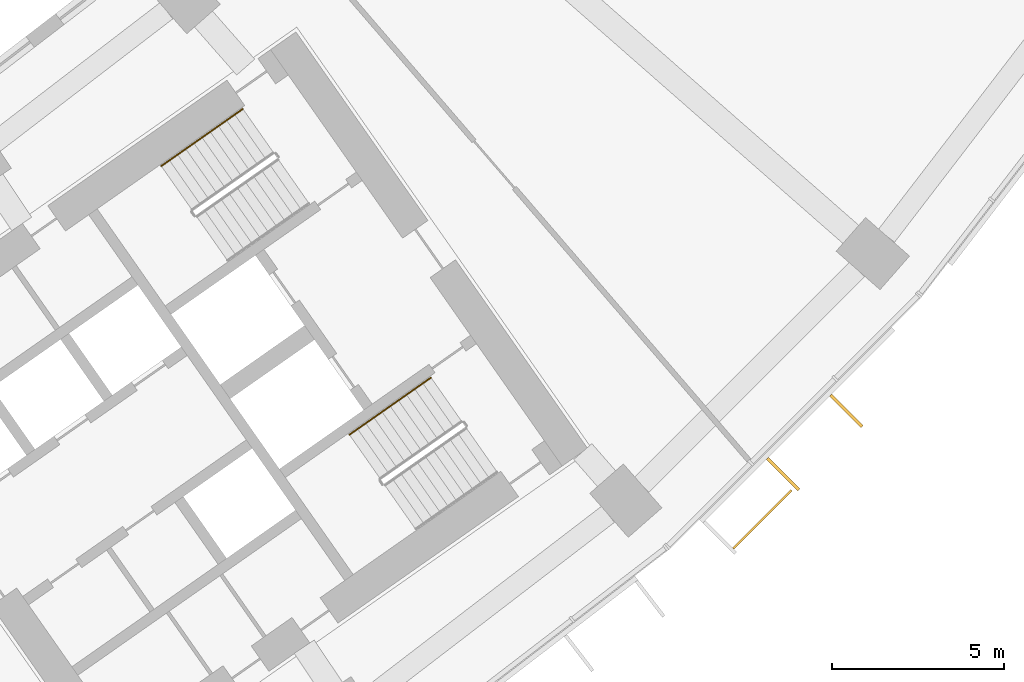
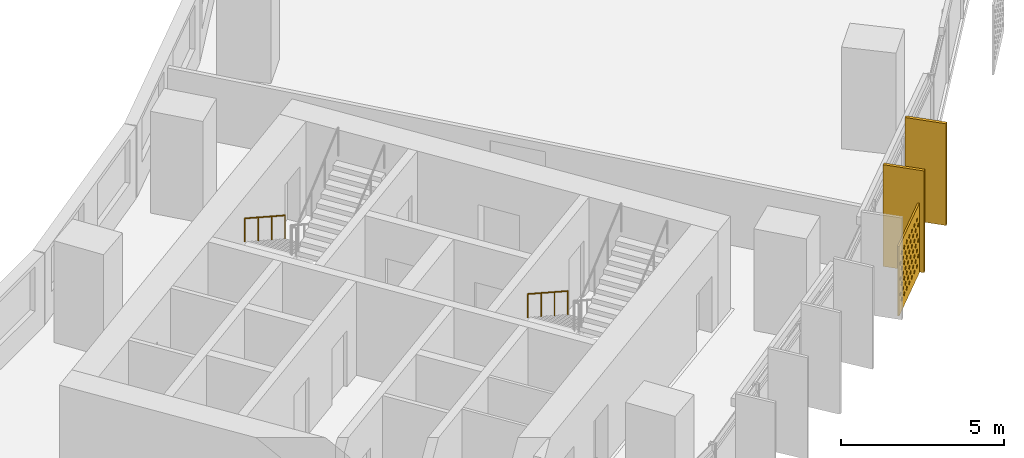
# One storey, part 30 of 31: 3 shading devices, 2 railings.
"""IFC4 building model written with IfcOpenShell, lengths in metres."""

from ifc_helpers import new_model, si_unit, direction, frame, origin, origin_2d, place, context, subcontext, project, spatial, polyline, rectangle, circle, outline, extrude, material, material_profile, profile_set, type_object, element, save


model = new_model("IFC4")

# Units and contexts
model_context = context("Model", 3, precision=1e-05, world=origin(), true_north=direction((0.0, 1.0)))
body_context = subcontext(model_context, "Body", "Model", "MODEL_VIEW")
ifc_project = project(units=[si_unit("LENGTHUNIT", "METRE"), si_unit("AREAUNIT", "SQUARE_METRE"), si_unit("VOLUMEUNIT", "CUBIC_METRE"), si_unit("PLANEANGLEUNIT", "RADIAN"), si_unit("MASSUNIT", "GRAM", prefix="KILO")], contexts=[model_context])

# Site, building, storey
site_placement = place(None, origin())
site = spatial("IfcSite", under=ifc_project, at=site_placement, CompositionType="ELEMENT")
building_placement = place(site_placement, origin())
building = spatial("IfcBuilding", under=site, at=building_placement, Name="Qamariyya Broadcast Tower", CompositionType="ELEMENT")
storey_placement = place(building_placement, frame((0.0, 0.0, 74.699951171875)))
storey = spatial("IfcBuildingStorey", under=building, at=storey_placement, Name="L15", CompositionType="ELEMENT", Elevation=74.699951171875)

# Shading device
ifc_material_1 = material(Name="Perforated glazed terracotta", Category="masonry")
ifc_material_profile_1 = material_profile(ifc_material_1, outline(polyline([(-1.199951171875, -1.300048828125), (1.199951171875, -1.300048828125), (1.199951171875, 1.300048828125), (-1.199951171875, 1.300048828125), (-1.199951171875, -1.300048828125)]), holes=[polyline([(-0.81494140625, -0.86669921875), (-0.89990234375, -0.78173828125), (-0.985107421875, -0.86669921875), (-0.89990234375, -0.95166015625), (-0.81494140625, -0.86669921875)]), polyline([(-0.514892578125, -0.86669921875), (-0.60009765625, -0.78173828125), (-0.68505859375, -0.86669921875), (-0.60009765625, -0.95166015625), (-0.514892578125, -0.86669921875)]), polyline([(-0.215087890625, -0.86669921875), (-0.300048828125, -0.78173828125), (-0.385009765625, -0.86669921875), (-0.300048828125, -0.95166015625), (-0.215087890625, -0.86669921875)]), polyline([(0.0849609375, -0.86669921875), (0.0, -0.78173828125), (-0.0849609375, -0.86669921875), (0.0, -0.95166015625), (0.0849609375, -0.86669921875)]), polyline([(0.385009765625, -0.86669921875), (0.300048828125, -0.78173828125), (0.215087890625, -0.86669921875), (0.300048828125, -0.95166015625), (0.385009765625, -0.86669921875)]), polyline([(0.68505859375, -0.86669921875), (0.60009765625, -0.78173828125), (0.514892578125, -0.86669921875), (0.60009765625, -0.95166015625), (0.68505859375, -0.86669921875)]), polyline([(0.985107421875, -0.86669921875), (0.89990234375, -0.78173828125), (0.81494140625, -0.86669921875), (0.89990234375, -0.95166015625), (0.985107421875, -0.86669921875)]), polyline([(-0.965087890625, -0.577880859375), (-1.050048828125, -0.49267578125), (-1.135009765625, -0.577880859375), (-1.050048828125, -0.662841796875), (-0.965087890625, -0.577880859375)]), polyline([(-0.6650390625, -0.577880859375), (-0.75, -0.49267578125), (-0.8349609375, -0.577880859375), (-0.75, -0.662841796875), (-0.6650390625, -0.577880859375)]), polyline([(-0.364990234375, -0.577880859375), (-0.449951171875, -0.49267578125), (-0.534912109375, -0.577880859375), (-0.449951171875, -0.662841796875), (-0.364990234375, -0.577880859375)]), polyline([(-0.06494140625, -0.577880859375), (-0.14990234375, -0.49267578125), (-0.235107421875, -0.577880859375), (-0.14990234375, -0.662841796875), (-0.06494140625, -0.577880859375)]), polyline([(0.235107421875, -0.577880859375), (0.14990234375, -0.49267578125), (0.06494140625, -0.577880859375), (0.14990234375, -0.662841796875), (0.235107421875, -0.577880859375)]), polyline([(0.534912109375, -0.577880859375), (0.449951171875, -0.49267578125), (0.364990234375, -0.577880859375), (0.449951171875, -0.662841796875), (0.534912109375, -0.577880859375)]), polyline([(0.8349609375, -0.577880859375), (0.75, -0.49267578125), (0.6650390625, -0.577880859375), (0.75, -0.662841796875), (0.8349609375, -0.577880859375)]), polyline([(1.135009765625, -0.577880859375), (1.050048828125, -0.49267578125), (0.965087890625, -0.577880859375), (1.050048828125, -0.662841796875), (1.135009765625, -0.577880859375)]), polyline([(-0.81494140625, -0.288818359375), (-0.89990234375, -0.203857421875), (-0.985107421875, -0.288818359375), (-0.89990234375, -0.373779296875), (-0.81494140625, -0.288818359375)]), polyline([(-0.514892578125, -0.288818359375), (-0.60009765625, -0.203857421875), (-0.68505859375, -0.288818359375), (-0.60009765625, -0.373779296875), (-0.514892578125, -0.288818359375)]), polyline([(-0.215087890625, -0.288818359375), (-0.300048828125, -0.203857421875), (-0.385009765625, -0.288818359375), (-0.300048828125, -0.373779296875), (-0.215087890625, -0.288818359375)]), polyline([(0.0849609375, -0.288818359375), (0.0, -0.203857421875), (-0.0849609375, -0.288818359375), (0.0, -0.373779296875), (0.0849609375, -0.288818359375)]), polyline([(0.385009765625, -0.288818359375), (0.300048828125, -0.203857421875), (0.215087890625, -0.288818359375), (0.300048828125, -0.373779296875), (0.385009765625, -0.288818359375)]), polyline([(0.68505859375, -0.288818359375), (0.60009765625, -0.203857421875), (0.514892578125, -0.288818359375), (0.60009765625, -0.373779296875), (0.68505859375, -0.288818359375)]), polyline([(0.985107421875, -0.288818359375), (0.89990234375, -0.203857421875), (0.81494140625, -0.288818359375), (0.89990234375, -0.373779296875), (0.985107421875, -0.288818359375)]), polyline([(-0.965087890625, 0.0), (-1.050048828125, 0.0849609375), (-1.135009765625, 0.0), (-1.050048828125, -0.0849609375), (-0.965087890625, 0.0)]), polyline([(-0.6650390625, 0.0), (-0.75, 0.0849609375), (-0.8349609375, 0.0), (-0.75, -0.0849609375), (-0.6650390625, 0.0)]), polyline([(-0.364990234375, 0.0), (-0.449951171875, 0.0849609375), (-0.534912109375, 0.0), (-0.449951171875, -0.0849609375), (-0.364990234375, 0.0)]), polyline([(-0.06494140625, 0.0), (-0.14990234375, 0.0849609375), (-0.235107421875, 0.0), (-0.14990234375, -0.0849609375), (-0.06494140625, 0.0)]), polyline([(0.235107421875, 0.0), (0.14990234375, 0.0849609375), (0.06494140625, 0.0), (0.14990234375, -0.0849609375), (0.235107421875, 0.0)]), polyline([(0.534912109375, 0.0), (0.449951171875, 0.0849609375), (0.364990234375, 0.0), (0.449951171875, -0.0849609375), (0.534912109375, 0.0)]), polyline([(0.8349609375, 0.0), (0.75, 0.0849609375), (0.6650390625, 0.0), (0.75, -0.0849609375), (0.8349609375, 0.0)]), polyline([(1.135009765625, 0.0), (1.050048828125, 0.0849609375), (0.965087890625, 0.0), (1.050048828125, -0.0849609375), (1.135009765625, 0.0)]), polyline([(-0.81494140625, 0.288818359375), (-0.89990234375, 0.373779296875), (-0.985107421875, 0.288818359375), (-0.89990234375, 0.203857421875), (-0.81494140625, 0.288818359375)]), polyline([(-0.514892578125, 0.288818359375), (-0.60009765625, 0.373779296875), (-0.68505859375, 0.288818359375), (-0.60009765625, 0.203857421875), (-0.514892578125, 0.288818359375)]), polyline([(-0.215087890625, 0.288818359375), (-0.300048828125, 0.373779296875), (-0.385009765625, 0.288818359375), (-0.300048828125, 0.203857421875), (-0.215087890625, 0.288818359375)]), polyline([(0.0849609375, 0.288818359375), (0.0, 0.373779296875), (-0.0849609375, 0.288818359375), (0.0, 0.203857421875), (0.0849609375, 0.288818359375)]), polyline([(0.385009765625, 0.288818359375), (0.300048828125, 0.373779296875), (0.215087890625, 0.288818359375), (0.300048828125, 0.203857421875), (0.385009765625, 0.288818359375)]), polyline([(0.68505859375, 0.288818359375), (0.60009765625, 0.373779296875), (0.514892578125, 0.288818359375), (0.60009765625, 0.203857421875), (0.68505859375, 0.288818359375)]), polyline([(0.985107421875, 0.288818359375), (0.89990234375, 0.373779296875), (0.81494140625, 0.288818359375), (0.89990234375, 0.203857421875), (0.985107421875, 0.288818359375)]), polyline([(-0.965087890625, 0.577880859375), (-1.050048828125, 0.662841796875), (-1.135009765625, 0.577880859375), (-1.050048828125, 0.49267578125), (-0.965087890625, 0.577880859375)]), polyline([(-0.6650390625, 0.577880859375), (-0.75, 0.662841796875), (-0.8349609375, 0.577880859375), (-0.75, 0.49267578125), (-0.6650390625, 0.577880859375)]), polyline([(-0.364990234375, 0.577880859375), (-0.449951171875, 0.662841796875), (-0.534912109375, 0.577880859375), (-0.449951171875, 0.49267578125), (-0.364990234375, 0.577880859375)]), polyline([(-0.06494140625, 0.577880859375), (-0.14990234375, 0.662841796875), (-0.235107421875, 0.577880859375), (-0.14990234375, 0.49267578125), (-0.06494140625, 0.577880859375)]), polyline([(0.235107421875, 0.577880859375), (0.14990234375, 0.662841796875), (0.06494140625, 0.577880859375), (0.14990234375, 0.49267578125), (0.235107421875, 0.577880859375)]), polyline([(0.534912109375, 0.577880859375), (0.449951171875, 0.662841796875), (0.364990234375, 0.577880859375), (0.449951171875, 0.49267578125), (0.534912109375, 0.577880859375)]), polyline([(0.8349609375, 0.577880859375), (0.75, 0.662841796875), (0.6650390625, 0.577880859375), (0.75, 0.49267578125), (0.8349609375, 0.577880859375)]), polyline([(1.135009765625, 0.577880859375), (1.050048828125, 0.662841796875), (0.965087890625, 0.577880859375), (1.050048828125, 0.49267578125), (1.135009765625, 0.577880859375)]), polyline([(-0.81494140625, 0.86669921875), (-0.89990234375, 0.95166015625), (-0.985107421875, 0.86669921875), (-0.89990234375, 0.78173828125), (-0.81494140625, 0.86669921875)]), polyline([(-0.514892578125, 0.86669921875), (-0.60009765625, 0.95166015625), (-0.68505859375, 0.86669921875), (-0.60009765625, 0.78173828125), (-0.514892578125, 0.86669921875)]), polyline([(-0.215087890625, 0.86669921875), (-0.300048828125, 0.95166015625), (-0.385009765625, 0.86669921875), (-0.300048828125, 0.78173828125), (-0.215087890625, 0.86669921875)]), polyline([(0.0849609375, 0.86669921875), (0.0, 0.95166015625), (-0.0849609375, 0.86669921875), (0.0, 0.78173828125), (0.0849609375, 0.86669921875)]), polyline([(0.385009765625, 0.86669921875), (0.300048828125, 0.95166015625), (0.215087890625, 0.86669921875), (0.300048828125, 0.78173828125), (0.385009765625, 0.86669921875)]), polyline([(0.68505859375, 0.86669921875), (0.60009765625, 0.95166015625), (0.514892578125, 0.86669921875), (0.60009765625, 0.78173828125), (0.68505859375, 0.86669921875)]), polyline([(0.985107421875, 0.86669921875), (0.89990234375, 0.95166015625), (0.81494140625, 0.86669921875), (0.89990234375, 0.78173828125), (0.985107421875, 0.86669921875)])]))
ifc_profile_set_1 = profile_set([ifc_material_profile_1], Name="Perforated glazed terracotta")
shading_device_type_1 = type_object("IfcShadingDeviceType", Name="Perforated terracotta screen 2400 x 2600", PredefinedType="USERDEFINED", material=ifc_profile_set_1)
shading_device_placement = place(storey_placement, frame((55.2197265625, -58.977294921875, 1.35009765625), z_axis=(0.707106781187, -0.707106781187, 0.0), x_axis=(0.707106781187, 0.707106781187, 0.0)))
element("IfcShadingDevice", 1, at=shading_device_placement, inside=storey, type_object=shading_device_type_1, Name="e-scr-L15-14-0", ObjectType="SCREEN", PredefinedType="USERDEFINED", context=body_context, shape_type="SweptSolid", body=[
    extrude(outline(polyline([(-1.199951171875, -1.300048828125), (1.199951171875, -1.300048828125), (1.199951171875, 1.300048828125), (-1.199951171875, 1.300048828125), (-1.199951171875, -1.300048828125)]), holes=[polyline([(-0.81494140625, -0.86669921875), (-0.89990234375, -0.78173828125), (-0.985107421875, -0.86669921875), (-0.89990234375, -0.95166015625), (-0.81494140625, -0.86669921875)]), polyline([(-0.514892578125, -0.86669921875), (-0.60009765625, -0.78173828125), (-0.68505859375, -0.86669921875), (-0.60009765625, -0.95166015625), (-0.514892578125, -0.86669921875)]), polyline([(-0.215087890625, -0.86669921875), (-0.300048828125, -0.78173828125), (-0.385009765625, -0.86669921875), (-0.300048828125, -0.95166015625), (-0.215087890625, -0.86669921875)]), polyline([(0.0849609375, -0.86669921875), (0.0, -0.78173828125), (-0.0849609375, -0.86669921875), (0.0, -0.95166015625), (0.0849609375, -0.86669921875)]), polyline([(0.385009765625, -0.86669921875), (0.300048828125, -0.78173828125), (0.215087890625, -0.86669921875), (0.300048828125, -0.95166015625), (0.385009765625, -0.86669921875)]), polyline([(0.68505859375, -0.86669921875), (0.60009765625, -0.78173828125), (0.514892578125, -0.86669921875), (0.60009765625, -0.95166015625), (0.68505859375, -0.86669921875)]), polyline([(0.985107421875, -0.86669921875), (0.89990234375, -0.78173828125), (0.81494140625, -0.86669921875), (0.89990234375, -0.95166015625), (0.985107421875, -0.86669921875)]), polyline([(-0.965087890625, -0.577880859375), (-1.050048828125, -0.49267578125), (-1.135009765625, -0.577880859375), (-1.050048828125, -0.662841796875), (-0.965087890625, -0.577880859375)]), polyline([(-0.6650390625, -0.577880859375), (-0.75, -0.49267578125), (-0.8349609375, -0.577880859375), (-0.75, -0.662841796875), (-0.6650390625, -0.577880859375)]), polyline([(-0.364990234375, -0.577880859375), (-0.449951171875, -0.49267578125), (-0.534912109375, -0.577880859375), (-0.449951171875, -0.662841796875), (-0.364990234375, -0.577880859375)]), polyline([(-0.06494140625, -0.577880859375), (-0.14990234375, -0.49267578125), (-0.235107421875, -0.577880859375), (-0.14990234375, -0.662841796875), (-0.06494140625, -0.577880859375)]), polyline([(0.235107421875, -0.577880859375), (0.14990234375, -0.49267578125), (0.06494140625, -0.577880859375), (0.14990234375, -0.662841796875), (0.235107421875, -0.577880859375)]), polyline([(0.534912109375, -0.577880859375), (0.449951171875, -0.49267578125), (0.364990234375, -0.577880859375), (0.449951171875, -0.662841796875), (0.534912109375, -0.577880859375)]), polyline([(0.8349609375, -0.577880859375), (0.75, -0.49267578125), (0.6650390625, -0.577880859375), (0.75, -0.662841796875), (0.8349609375, -0.577880859375)]), polyline([(1.135009765625, -0.577880859375), (1.050048828125, -0.49267578125), (0.965087890625, -0.577880859375), (1.050048828125, -0.662841796875), (1.135009765625, -0.577880859375)]), polyline([(-0.81494140625, -0.288818359375), (-0.89990234375, -0.203857421875), (-0.985107421875, -0.288818359375), (-0.89990234375, -0.373779296875), (-0.81494140625, -0.288818359375)]), polyline([(-0.514892578125, -0.288818359375), (-0.60009765625, -0.203857421875), (-0.68505859375, -0.288818359375), (-0.60009765625, -0.373779296875), (-0.514892578125, -0.288818359375)]), polyline([(-0.215087890625, -0.288818359375), (-0.300048828125, -0.203857421875), (-0.385009765625, -0.288818359375), (-0.300048828125, -0.373779296875), (-0.215087890625, -0.288818359375)]), polyline([(0.0849609375, -0.288818359375), (0.0, -0.203857421875), (-0.0849609375, -0.288818359375), (0.0, -0.373779296875), (0.0849609375, -0.288818359375)]), polyline([(0.385009765625, -0.288818359375), (0.300048828125, -0.203857421875), (0.215087890625, -0.288818359375), (0.300048828125, -0.373779296875), (0.385009765625, -0.288818359375)]), polyline([(0.68505859375, -0.288818359375), (0.60009765625, -0.203857421875), (0.514892578125, -0.288818359375), (0.60009765625, -0.373779296875), (0.68505859375, -0.288818359375)]), polyline([(0.985107421875, -0.288818359375), (0.89990234375, -0.203857421875), (0.81494140625, -0.288818359375), (0.89990234375, -0.373779296875), (0.985107421875, -0.288818359375)]), polyline([(-0.965087890625, 0.0), (-1.050048828125, 0.0849609375), (-1.135009765625, 0.0), (-1.050048828125, -0.0849609375), (-0.965087890625, 0.0)]), polyline([(-0.6650390625, 0.0), (-0.75, 0.0849609375), (-0.8349609375, 0.0), (-0.75, -0.0849609375), (-0.6650390625, 0.0)]), polyline([(-0.364990234375, 0.0), (-0.449951171875, 0.0849609375), (-0.534912109375, 0.0), (-0.449951171875, -0.0849609375), (-0.364990234375, 0.0)]), polyline([(-0.06494140625, 0.0), (-0.14990234375, 0.0849609375), (-0.235107421875, 0.0), (-0.14990234375, -0.0849609375), (-0.06494140625, 0.0)]), polyline([(0.235107421875, 0.0), (0.14990234375, 0.0849609375), (0.06494140625, 0.0), (0.14990234375, -0.0849609375), (0.235107421875, 0.0)]), polyline([(0.534912109375, 0.0), (0.449951171875, 0.0849609375), (0.364990234375, 0.0), (0.449951171875, -0.0849609375), (0.534912109375, 0.0)]), polyline([(0.8349609375, 0.0), (0.75, 0.0849609375), (0.6650390625, 0.0), (0.75, -0.0849609375), (0.8349609375, 0.0)]), polyline([(1.135009765625, 0.0), (1.050048828125, 0.0849609375), (0.965087890625, 0.0), (1.050048828125, -0.0849609375), (1.135009765625, 0.0)]), polyline([(-0.81494140625, 0.288818359375), (-0.89990234375, 0.373779296875), (-0.985107421875, 0.288818359375), (-0.89990234375, 0.203857421875), (-0.81494140625, 0.288818359375)]), polyline([(-0.514892578125, 0.288818359375), (-0.60009765625, 0.373779296875), (-0.68505859375, 0.288818359375), (-0.60009765625, 0.203857421875), (-0.514892578125, 0.288818359375)]), polyline([(-0.215087890625, 0.288818359375), (-0.300048828125, 0.373779296875), (-0.385009765625, 0.288818359375), (-0.300048828125, 0.203857421875), (-0.215087890625, 0.288818359375)]), polyline([(0.0849609375, 0.288818359375), (0.0, 0.373779296875), (-0.0849609375, 0.288818359375), (0.0, 0.203857421875), (0.0849609375, 0.288818359375)]), polyline([(0.385009765625, 0.288818359375), (0.300048828125, 0.373779296875), (0.215087890625, 0.288818359375), (0.300048828125, 0.203857421875), (0.385009765625, 0.288818359375)]), polyline([(0.68505859375, 0.288818359375), (0.60009765625, 0.373779296875), (0.514892578125, 0.288818359375), (0.60009765625, 0.203857421875), (0.68505859375, 0.288818359375)]), polyline([(0.985107421875, 0.288818359375), (0.89990234375, 0.373779296875), (0.81494140625, 0.288818359375), (0.89990234375, 0.203857421875), (0.985107421875, 0.288818359375)]), polyline([(-0.965087890625, 0.577880859375), (-1.050048828125, 0.662841796875), (-1.135009765625, 0.577880859375), (-1.050048828125, 0.49267578125), (-0.965087890625, 0.577880859375)]), polyline([(-0.6650390625, 0.577880859375), (-0.75, 0.662841796875), (-0.8349609375, 0.577880859375), (-0.75, 0.49267578125), (-0.6650390625, 0.577880859375)]), polyline([(-0.364990234375, 0.577880859375), (-0.449951171875, 0.662841796875), (-0.534912109375, 0.577880859375), (-0.449951171875, 0.49267578125), (-0.364990234375, 0.577880859375)]), polyline([(-0.06494140625, 0.577880859375), (-0.14990234375, 0.662841796875), (-0.235107421875, 0.577880859375), (-0.14990234375, 0.49267578125), (-0.06494140625, 0.577880859375)]), polyline([(0.235107421875, 0.577880859375), (0.14990234375, 0.662841796875), (0.06494140625, 0.577880859375), (0.14990234375, 0.49267578125), (0.235107421875, 0.577880859375)]), polyline([(0.534912109375, 0.577880859375), (0.449951171875, 0.662841796875), (0.364990234375, 0.577880859375), (0.449951171875, 0.49267578125), (0.534912109375, 0.577880859375)]), polyline([(0.8349609375, 0.577880859375), (0.75, 0.662841796875), (0.6650390625, 0.577880859375), (0.75, 0.49267578125), (0.8349609375, 0.577880859375)]), polyline([(1.135009765625, 0.577880859375), (1.050048828125, 0.662841796875), (0.965087890625, 0.577880859375), (1.050048828125, 0.49267578125), (1.135009765625, 0.577880859375)]), polyline([(-0.81494140625, 0.86669921875), (-0.89990234375, 0.95166015625), (-0.985107421875, 0.86669921875), (-0.89990234375, 0.78173828125), (-0.81494140625, 0.86669921875)]), polyline([(-0.514892578125, 0.86669921875), (-0.60009765625, 0.95166015625), (-0.68505859375, 0.86669921875), (-0.60009765625, 0.78173828125), (-0.514892578125, 0.86669921875)]), polyline([(-0.215087890625, 0.86669921875), (-0.300048828125, 0.95166015625), (-0.385009765625, 0.86669921875), (-0.300048828125, 0.78173828125), (-0.215087890625, 0.86669921875)]), polyline([(0.0849609375, 0.86669921875), (0.0, 0.95166015625), (-0.0849609375, 0.86669921875), (0.0, 0.78173828125), (0.0849609375, 0.86669921875)]), polyline([(0.385009765625, 0.86669921875), (0.300048828125, 0.95166015625), (0.215087890625, 0.86669921875), (0.300048828125, 0.78173828125), (0.385009765625, 0.86669921875)]), polyline([(0.68505859375, 0.86669921875), (0.60009765625, 0.95166015625), (0.514892578125, 0.86669921875), (0.60009765625, 0.78173828125), (0.68505859375, 0.86669921875)]), polyline([(0.985107421875, 0.86669921875), (0.89990234375, 0.95166015625), (0.81494140625, 0.86669921875), (0.89990234375, 0.78173828125), (0.985107421875, 0.86669921875)])]), origin(), (0.0, 0.0, 1.0), 0.06005859375),
])

# Railings
ifc_material_2 = material(Name="Stainless steel", Category="steel")
railing_type = type_object("IfcRailingType", Name="Stair handrail", PredefinedType="HANDRAIL", material=ifc_material_2)
railing_1_placement = place(storey_placement, frame((40.1142578125, -47.05029296875, 0.1728515625)))
element("IfcRailing", 2, at=railing_1_placement, inside=storey, type_object=railing_type, Name="L15 ST-E2 stair handrail 1", PredefinedType="HANDRAIL", context=body_context, shape_type="SweptSolid", body=[
    extrude(circle(Radius=0.02392578125, at=origin_2d()), frame((0.0, 0.0, 0.8759765625), z_axis=(-0.703745009021, -0.492838488332, 0.511715923826), x_axis=(0.573631830683, -0.819113253969, 0.0)), (0.0, 0.0, 1.0), 3.37548828125),
    extrude(circle(Radius=0.02099609375, at=origin_2d()), origin(), (0.0, 0.0, 1.0), 0.851806640625),
    extrude(circle(Radius=0.02099609375, at=origin_2d()), frame((-0.791748046875, -0.554443359375, 0.57568359375)), (0.0, 0.0, 1.0), 0.851806640625),
    extrude(circle(Radius=0.02099609375, at=origin_2d()), frame((-1.583740234375, -1.109130859375, 1.151611328125)), (0.0, 0.0, 1.0), 0.851806640625),
    extrude(circle(Radius=0.02099609375, at=origin_2d()), frame((-2.37548828125, -1.66357421875, 1.727294921875)), (0.0, 0.0, 1.0), 0.851806640625),
])
railing_2_placement = place(storey_placement, frame((45.591796875, -54.873291015625, 0.1728515625)))
element("IfcRailing", 3, at=railing_2_placement, inside=storey, type_object=railing_type, Name="L15 ST-E1 stair handrail 1", PredefinedType="HANDRAIL", context=body_context, shape_type="SweptSolid", body=[
    extrude(circle(Radius=0.02392578125, at=origin_2d()), frame((0.0, 0.0, 0.8759765625), z_axis=(-0.703770094002, -0.492783725636, 0.511734163933), x_axis=(0.573575343427, -0.819152809562, 0.0)), (0.0, 0.0, 1.0), 3.37548828125),
    extrude(circle(Radius=0.02099609375, at=origin_2d()), origin(), (0.0, 0.0, 1.0), 0.851806640625),
    extrude(circle(Radius=0.02099609375, at=origin_2d()), frame((-0.791748046875, -0.554443359375, 0.57568359375)), (0.0, 0.0, 1.0), 0.851806640625),
    extrude(circle(Radius=0.02099609375, at=origin_2d()), frame((-1.583740234375, -1.10888671875, 1.151611328125)), (0.0, 0.0, 1.0), 0.851806640625),
    extrude(circle(Radius=0.02099609375, at=origin_2d()), frame((-2.37548828125, -1.663330078125, 1.727294921875)), (0.0, 0.0, 1.0), 0.851806640625),
])

# Shading devices
ifc_material_3 = material(Name="Glazed terracotta", Category="masonry")
ifc_material_profile_2 = material_profile(ifc_material_3, rectangle(XDim=1.300048828125, YDim=0.10009765625, at=origin_2d()))
ifc_profile_set_2 = profile_set([ifc_material_profile_2], Name="Glazed terracotta")
shading_device_type_2 = type_object("IfcShadingDeviceType", Name="Terracotta fin 100 x 1300", PredefinedType="USERDEFINED", material=ifc_profile_set_2)
for number, where, z_axis, x_axis, name in (
    (4, (55.84521484375, -57.68701171875, 0.0), (0.0, 0.0, 1.0), (0.707106781187, -0.707106781187, 0.0), "e-fin-L15-14-1"),
    (5, (57.68701171875, -55.84521484375, 0.0), (0.0, 0.0, 1.0), (0.707106781187, -0.707106781187, 0.0), "e-fin-L15-14-2"),
):
    element("IfcShadingDevice", number, at=place(storey_placement, frame(where, z_axis=z_axis, x_axis=x_axis)), inside=storey, type_object=shading_device_type_2, Name=name, ObjectType="FIN", PredefinedType="USERDEFINED", context=body_context, shape_type="SweptSolid", body=[
        extrude(rectangle(XDim=1.300048828125, YDim=0.10009765625, at=origin_2d()), origin(), (0.0, 0.0, 1.0), 3.800048828125),
    ])

save(model, "model.ifc")
